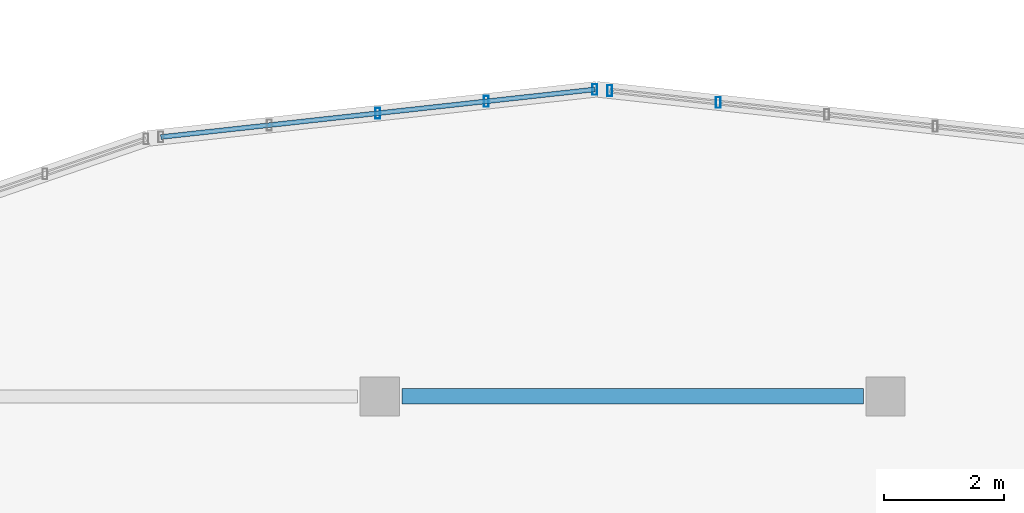
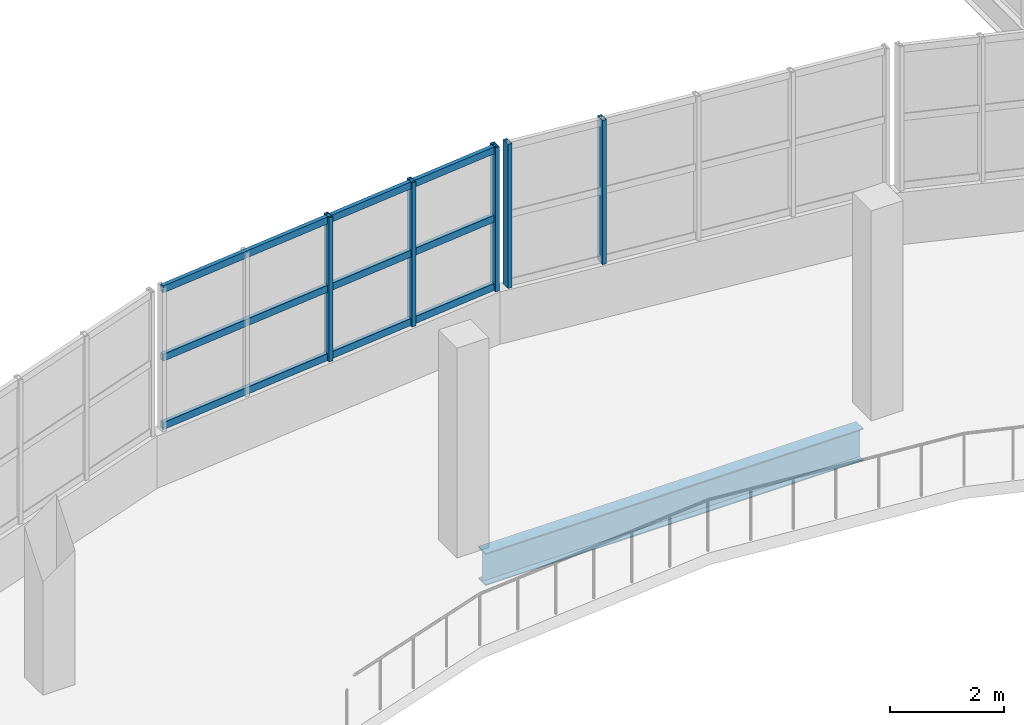
# One storey, part 16 of 50: 8 members, 1 beam, 2 elements without a shape of their own.
"""IFC4 building model written with IfcOpenShell, lengths in metres."""

from ifc_helpers import new_model, si_unit, direction, frame, origin, origin_2d, place, context, subcontext, project, spatial, hollow_rectangle, i_section, extrude, material, material_profile, profile_set, type_object, element, aggregate, save


model = new_model("IFC4")

# Units and contexts
model_context = context("Model", 3, precision=1e-05, world=origin(), true_north=direction((0.0, 1.0)))
body_context = subcontext(model_context, "Body", "Model", "MODEL_VIEW")
ifc_project = project(units=[si_unit("LENGTHUNIT", "METRE"), si_unit("AREAUNIT", "SQUARE_METRE"), si_unit("VOLUMEUNIT", "CUBIC_METRE"), si_unit("PLANEANGLEUNIT", "RADIAN"), si_unit("MASSUNIT", "GRAM", prefix="KILO")], contexts=[model_context])

# Site, building, storey
site_placement = place(None, origin())
site = spatial("IfcSite", under=ifc_project, at=site_placement, CompositionType="ELEMENT")
building_placement = place(site_placement, origin())
building = spatial("IfcBuilding", under=site, at=building_placement, Name="Solvento Point Concert Hall", CompositionType="ELEMENT")
storey_placement = place(building_placement, frame((0.0, 0.0, 15.0)))
storey = spatial("IfcBuildingStorey", under=building, at=storey_placement, Name="L03", CompositionType="ELEMENT", Elevation=15.0)

# Beam
ifc_material_1 = material(Name="Structural Steel ASTM A992 Grade 50", Category="steel")
ifc_material_profile_1 = material_profile(ifc_material_1, i_section(OverallWidth=0.256103515625, OverallDepth=0.693115234375, WebThickness=0.014404296875, FlangeThickness=0.023681640625, at=origin_2d()), Name="W27X114")
ifc_profile_set_1 = profile_set([ifc_material_profile_1], Name="Structural Steel ASTM A992 Grade 50")
beam_type = type_object("IfcBeamType", Name="Girder_W27X114", PredefinedType="USERDEFINED", material=ifc_profile_set_1)
beam_placement = place(storey_placement, frame((57.968994140625, 51.0, -0.610595703125), z_axis=(1.0, 0.0, 0.0), x_axis=(0.0, 1.0, 0.0)))
element("IfcBeam", 1, at=beam_placement, inside=storey, type_object=beam_type, Name="Primary girder B-23 L03", ObjectType="GIRDER", PredefinedType="USERDEFINED", context=body_context, shape_type="SweptSolid", body=[
    extrude(i_section(OverallWidth=0.256103515625, OverallDepth=0.693115234375, WebThickness=0.014404296875, FlangeThickness=0.023681640625, at=origin_2d()), origin(), (0.0, 0.0, 1.0), 7.662109375),
])

# Curtain wall, members
ifc_material_2 = material(Name="Anodized Bronze Aluminium", Category="aluminium")
curtain_wall_type = type_object("IfcCurtainWallType", Name="CurtainWall_RingRibbon_L03_04", PredefinedType="USERDEFINED", material=ifc_material_2)
curtain_wall_1_placement = place(storey_placement, origin())
curtain_wall_1 = element("IfcCurtainWall", 2, at=curtain_wall_1_placement, inside=storey, type_object=curtain_wall_type, Name="Unitised curtain wall CW-31 UCW-L03-196", ObjectType="UNITISED CURTAIN WALL", PredefinedType="USERDEFINED")
ifc_material_3 = material(Name="Anodized Bronze Aluminium", Category="aluminium")
ifc_material_profile_2 = material_profile(ifc_material_3, hollow_rectangle(XDim=0.080078125, YDim=0.179931640625, WallThickness=0.00390625, at=origin_2d()), Name="CW-MUL-80X180")
ifc_profile_set_2 = profile_set([ifc_material_profile_2], Name="Anodized Bronze Aluminium")
member_type_1 = type_object("IfcMemberType", Name="Mullion_80x180", PredefinedType="MULLION", material=ifc_profile_set_2)
member_1_placement = place(storey_placement, frame((57.5673828125, 55.701416015625, 1.1201171875), z_axis=(0.0, 0.0, 1.0), x_axis=(1.0, 0.0, 0.0)))
member_1 = element("IfcMember", 3, at=member_1_placement, type_object=member_type_1, Name="Curtain wall mullion ML-01", PredefinedType="MULLION", context=body_context, shape_type="SweptSolid", body=[
    extrude(hollow_rectangle(XDim=0.080078125, YDim=0.179931640625, WallThickness=0.00390625, at=origin_2d()), origin(), (0.0, 0.0, 1.0), 3.08984375),
])
member_2_placement = place(storey_placement, frame((59.368896484375, 55.899169921875, 1.1201171875), z_axis=(0.0, 0.0, 1.0), x_axis=(1.0, 0.0, 0.0)))
member_2 = element("IfcMember", 4, at=member_2_placement, type_object=member_type_1, Name="Curtain wall mullion ML-01", PredefinedType="MULLION", context=body_context, shape_type="SweptSolid", body=[
    extrude(hollow_rectangle(XDim=0.080078125, YDim=0.179931640625, WallThickness=0.00390625, at=origin_2d()), origin(), (0.0, 0.0, 1.0), 3.08984375),
])
member_3_placement = place(storey_placement, frame((61.170166015625, 56.0966796875, 1.1201171875), z_axis=(0.0, 0.0, 1.0), x_axis=(1.0, 0.0, 0.0)))
member_3 = element("IfcMember", 5, at=member_3_placement, type_object=member_type_1, Name="Curtain wall mullion ML-01", PredefinedType="MULLION", context=body_context, shape_type="SweptSolid", body=[
    extrude(hollow_rectangle(XDim=0.080078125, YDim=0.179931640625, WallThickness=0.00390625, at=origin_2d()), origin(), (0.0, 0.0, 1.0), 3.08984375),
])

curtain_wall_2_placement = place(storey_placement, origin())
curtain_wall_2 = element("IfcCurtainWall", 6, at=curtain_wall_2_placement, inside=storey, type_object=curtain_wall_type, Name="Unitised curtain wall CW-31 UCW-L03-197", ObjectType="UNITISED CURTAIN WALL", PredefinedType="USERDEFINED")
member_4_placement = place(storey_placement, frame((61.418701171875, 56.075927734375, 1.1201171875), z_axis=(0.0, 0.0, 1.0), x_axis=(1.0, 0.0, 0.0)))
member_4 = element("IfcMember", 7, at=member_4_placement, type_object=member_type_1, Name="Curtain wall mullion ML-01", PredefinedType="MULLION", context=body_context, shape_type="SweptSolid", body=[
    extrude(hollow_rectangle(XDim=0.080078125, YDim=0.179931640625, WallThickness=0.00390625, at=origin_2d()), origin(), (0.0, 0.0, 1.0), 3.08984375),
])
member_5_placement = place(storey_placement, frame((63.22021484375, 55.87841796875, 1.1201171875), z_axis=(0.0, 0.0, 1.0), x_axis=(1.0, 0.0, 0.0)))
member_5 = element("IfcMember", 8, at=member_5_placement, type_object=member_type_1, Name="Curtain wall mullion ML-01", PredefinedType="MULLION", context=body_context, shape_type="SweptSolid", body=[
    extrude(hollow_rectangle(XDim=0.080078125, YDim=0.179931640625, WallThickness=0.00390625, at=origin_2d()), origin(), (0.0, 0.0, 1.0), 3.08984375),
])
aggregate(curtain_wall_2, [member_4, member_5])

# Member
ifc_material_4 = material(Name="Anodized Bronze Aluminium", Category="aluminium")
ifc_material_profile_3 = material_profile(ifc_material_4, hollow_rectangle(XDim=0.080078125, YDim=0.14990234375, WallThickness=0.00390625, at=origin_2d()), Name="CW-TRN-80X150")
ifc_profile_set_3 = profile_set([ifc_material_profile_3], Name="Anodized Bronze Aluminium")
member_type_2 = type_object("IfcMemberType", Name="Transom_80x150", PredefinedType="USERDEFINED", material=ifc_profile_set_3)
member_6_placement = place(storey_placement, frame((53.964599609375, 55.30615234375, 1.199951171875), z_axis=(0.994035576175, 0.109056285006, 0.0), x_axis=(-0.109056285006, 0.994035576175, 0.0)))
member_6 = element("IfcMember", 9, at=member_6_placement, type_object=member_type_2, Name="Curtain wall transom TR-01", ObjectType="TRANSOM", PredefinedType="USERDEFINED", context=body_context, shape_type="SweptSolid", body=[
    extrude(hollow_rectangle(XDim=0.080078125, YDim=0.14990234375, WallThickness=0.00390625, at=origin_2d()), origin(), (0.0, 0.0, 1.0), 7.248779296875),
])

member_7_placement = place(storey_placement, frame((53.964599609375, 55.30615234375, 2.6650390625), z_axis=(0.994035576175, 0.109056285006, 0.0), x_axis=(-0.109056285006, 0.994035576175, 0.0)))
member_7 = element("IfcMember", 10, at=member_7_placement, type_object=member_type_2, Name="Curtain wall transom TR-01", ObjectType="TRANSOM", PredefinedType="USERDEFINED", context=body_context, shape_type="SweptSolid", body=[
    extrude(hollow_rectangle(XDim=0.080078125, YDim=0.14990234375, WallThickness=0.00390625, at=origin_2d()), origin(), (0.0, 0.0, 1.0), 7.248779296875),
])

member_8_placement = place(storey_placement, frame((53.964599609375, 55.30615234375, 4.1298828125), z_axis=(0.994035576175, 0.109056285006, 0.0), x_axis=(-0.109056285006, 0.994035576175, 0.0)))
member_8 = element("IfcMember", 11, at=member_8_placement, type_object=member_type_2, Name="Curtain wall transom TR-01", ObjectType="TRANSOM", PredefinedType="USERDEFINED", context=body_context, shape_type="SweptSolid", body=[
    extrude(hollow_rectangle(XDim=0.080078125, YDim=0.14990234375, WallThickness=0.00390625, at=origin_2d()), origin(), (0.0, 0.0, 1.0), 7.248779296875),
])

aggregate(curtain_wall_1, [member_1, member_2, member_3, member_6, member_7, member_8])

save(model, "model.ifc")
